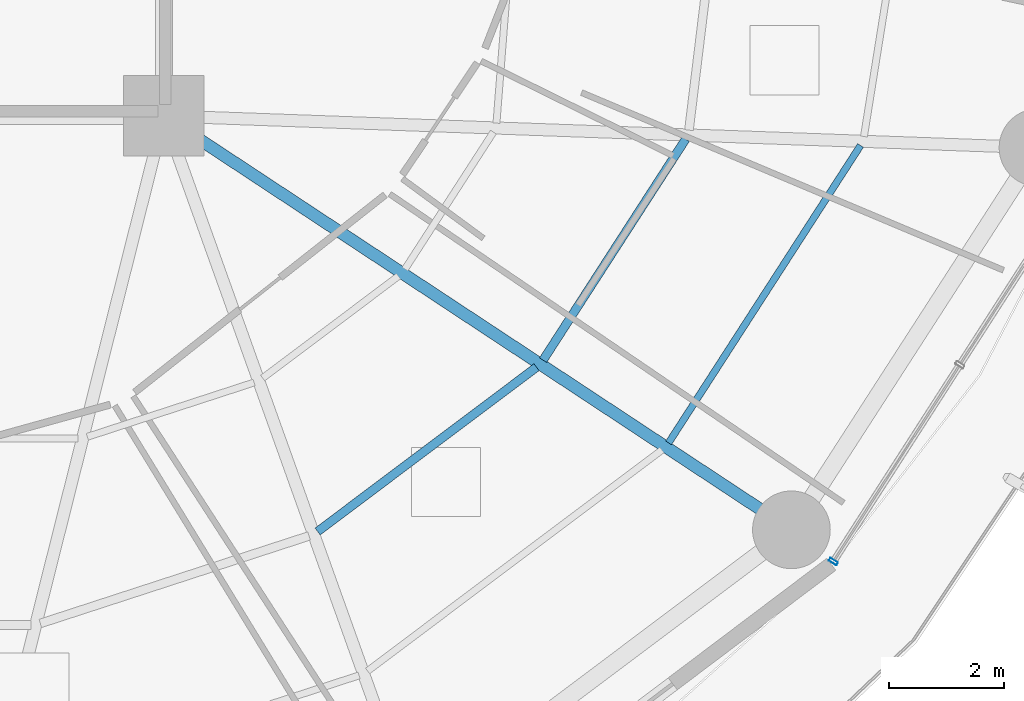
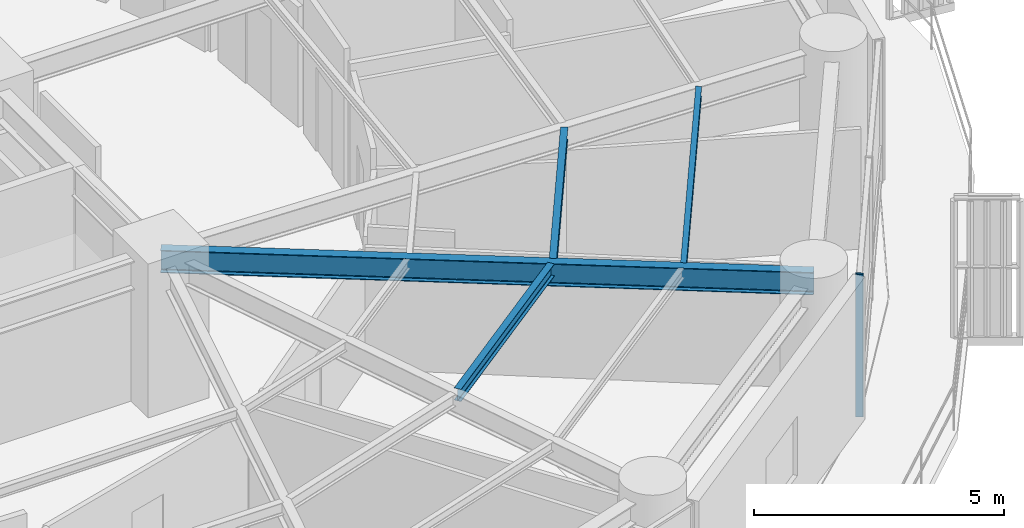
# One storey, part 10 of 33: 4 beams, 1 member, 1 element without a shape of its own.
"""IFC4 building model written with IfcOpenShell, lengths in metres."""

from ifc_helpers import new_model, si_unit, direction, frame, origin, origin_2d, place, context, subcontext, project, spatial, hollow_rectangle, i_section, extrude, material, layer, layer_set, material_profile, profile_set, type_object, element, aggregate, save


model = new_model("IFC4")

# Units and contexts
model_context = context("Model", 3, precision=1e-05, world=origin(), true_north=direction((0.0, 1.0)))
body_context = subcontext(model_context, "Body", "Model", "MODEL_VIEW")
ifc_project = project(units=[si_unit("LENGTHUNIT", "METRE"), si_unit("AREAUNIT", "SQUARE_METRE"), si_unit("VOLUMEUNIT", "CUBIC_METRE"), si_unit("PLANEANGLEUNIT", "RADIAN"), si_unit("MASSUNIT", "GRAM", prefix="KILO")], contexts=[model_context])

# Site, building, storey
site_placement = place(None, origin())
site = spatial("IfcSite", under=ifc_project, at=site_placement, CompositionType="ELEMENT")
building_placement = place(site_placement, origin())
building = spatial("IfcBuilding", under=site, at=building_placement, Name="Kelanora Arch Commons", CompositionType="ELEMENT")
storey_placement = place(building_placement, frame((0.0, 0.0, 83.85009765625)))
storey = spatial("IfcBuildingStorey", under=building, at=storey_placement, Name="L21", CompositionType="ELEMENT", Elevation=83.85009765625)

# Beams
ifc_material_1 = material(Name="Steel S355", Category="steel")
ifc_material_profile_1 = material_profile(ifc_material_1, i_section(OverallWidth=0.14990234375, OverallDepth=0.300048828125, WebThickness=0.007080078125, FlangeThickness=0.0107421875, FilletRadius=0.014892578125, at=origin_2d()), Name="IPE300")
ifc_profile_set_1 = profile_set([ifc_material_profile_1], Name="Steel S355")
beam_type_1 = type_object("IfcBeamType", Name="BM-JST-01", PredefinedType="JOIST", material=ifc_profile_set_1)
beam_1_placement = place(storey_placement, frame((84.672119140625, 43.77783203125, 3.33984375), z_axis=(0.79971039107, 0.600385951214, 0.0), x_axis=(-0.600385951214, 0.79971039107, 0.0)))
element("IfcBeam", 1, at=beam_1_placement, inside=storey, type_object=beam_type_1, Name="Secondary Chord Joist BJB-30 L21", PredefinedType="JOIST", context=body_context, shape_type="SweptSolid", body=[
    extrude(i_section(OverallWidth=0.14990234375, OverallDepth=0.300048828125, WebThickness=0.007080078125, FlangeThickness=0.0107421875, FilletRadius=0.014892578125, at=origin_2d()), origin(), (0.0, 0.0, 1.0), 4.756103515625),
])
beam_2_placement = place(storey_placement, frame((88.589599609375, 46.755615234375, 3.33984375), z_axis=(0.542230243286, 0.840229946661, 0.0), x_axis=(-0.840229946661, 0.542230243286, 0.0)))
element("IfcBeam", 2, at=beam_2_placement, inside=storey, type_object=beam_type_1, Name="Secondary Chord Joist BJB-32 L21", PredefinedType="JOIST", context=body_context, shape_type="SweptSolid", body=[
    extrude(i_section(OverallWidth=0.14990234375, OverallDepth=0.300048828125, WebThickness=0.007080078125, FlangeThickness=0.0107421875, FilletRadius=0.014892578125, at=origin_2d()), origin(), (0.0, 0.0, 1.0), 4.572265625),
])
ifc_material_profile_2 = material_profile(ifc_material_1, i_section(OverallWidth=0.1201171875, OverallDepth=0.239990234375, WebThickness=0.006103515625, FlangeThickness=0.009765625, FilletRadius=0.014892578125, at=origin_2d()), Name="IPE240")
ifc_profile_set_2 = profile_set([ifc_material_profile_2], Name="Steel S355")
beam_type_2 = type_object("IfcBeamType", Name="BM-JST-02", PredefinedType="JOIST", material=ifc_profile_set_2)
beam_3_placement = place(storey_placement, frame((90.77099609375, 45.317138671875, 3.369873046875), z_axis=(0.542212726273, 0.840241250754, 0.0), x_axis=(-0.840241250754, 0.542212726273, 0.0)))
element("IfcBeam", 3, at=beam_3_placement, inside=storey, type_object=beam_type_2, Name="Secondary Chord Joist BJC-32 L21", PredefinedType="JOIST", context=body_context, shape_type="SweptSolid", body=[
    extrude(i_section(OverallWidth=0.1201171875, OverallDepth=0.239990234375, WebThickness=0.006103515625, FlangeThickness=0.009765625, FilletRadius=0.014892578125, at=origin_2d()), origin(), (0.0, 0.0, 1.0), 6.15283203125),
])
ifc_material_profile_3 = material_profile(ifc_material_1, i_section(OverallWidth=0.2099609375, OverallDepth=0.550048828125, WebThickness=0.010986328125, FlangeThickness=0.01708984375, FilletRadius=0.02392578125, at=origin_2d()), Name="IPE550")
ifc_profile_set_3 = profile_set([ifc_material_profile_3], Name="Steel S355")
beam_type_3 = type_object("IfcBeamType", Name="BM-RAD-Z2", PredefinedType="BEAM", material=ifc_profile_set_3)
beam_4_placement = place(storey_placement, frame((82.0, 51.0, 3.21484375), z_axis=(0.834788577908, -0.550570640512, 0.0), x_axis=(0.550570640512, 0.834788577908, 0.0)))
element("IfcBeam", 4, at=beam_4_placement, inside=storey, type_object=beam_type_3, Name="Radial Floor Girder BR-32 L21", PredefinedType="BEAM", context=body_context, shape_type="SweptSolid", body=[
    extrude(i_section(OverallWidth=0.2099609375, OverallDepth=0.550048828125, WebThickness=0.010986328125, FlangeThickness=0.01708984375, FilletRadius=0.02392578125, at=origin_2d()), origin(), (0.0, 0.0, 1.0), 13.064453125),
])

# Curtain wall, member
ifc_material_2 = material(Name="Terracotta ceramic-fritted low-E glass and aluminium", Category="masonry")
ifc_layer = layer(ifc_material_2, 0.159912109375)
ifc_layer_set = layer_set([ifc_layer], Name="Terracotta ceramic-fritted low-E glass and aluminium")
curtain_wall_type = type_object("IfcCurtainWallType", Name="CW-SYS-01", PredefinedType="NOTDEFINED", material=ifc_layer_set)
curtain_wall_placement = place(storey_placement, origin())
curtain_wall = element("IfcCurtainWall", 5, at=curtain_wall_placement, inside=storey, type_object=curtain_wall_type, Name="Unitised Curtain Wall L21-B16", PredefinedType="NOTDEFINED")
ifc_material_3 = material(Name="Powder-coated aluminium terracotta", Category="masonry")
ifc_material_profile_4 = material_profile(ifc_material_3, hollow_rectangle(XDim=0.159912109375, YDim=0.06005859375, WallThickness=0.0048828125, InnerFilletRadius=0.0048828125, OuterFilletRadius=0.010009765625, at=origin_2d()), Name="CWM160x60")
ifc_profile_set_4 = profile_set([ifc_material_profile_4], Name="Powder-coated aluminium terracotta")
member_type = type_object("IfcMemberType", Name="CWM-STD", PredefinedType="MULLION", material=ifc_profile_set_4)
member_placement = place(storey_placement, frame((93.635009765625, 43.253662109375, 0.0), z_axis=(0.0, 0.0, 1.0), x_axis=(-0.841268883088, 0.540616931244, 0.0)))
member = element("IfcMember", 6, at=member_placement, type_object=member_type, Name="CW-01 mullion 1", PredefinedType="MULLION", context=body_context, shape_type="SweptSolid", body=[
    extrude(hollow_rectangle(XDim=0.159912109375, YDim=0.06005859375, WallThickness=0.0048828125, InnerFilletRadius=0.0048828125, OuterFilletRadius=0.010009765625, at=origin_2d()), origin(), (0.0, 0.0, 1.0), 3.474853515625),
])
aggregate(curtain_wall, [member])

save(model, "model.ifc")
